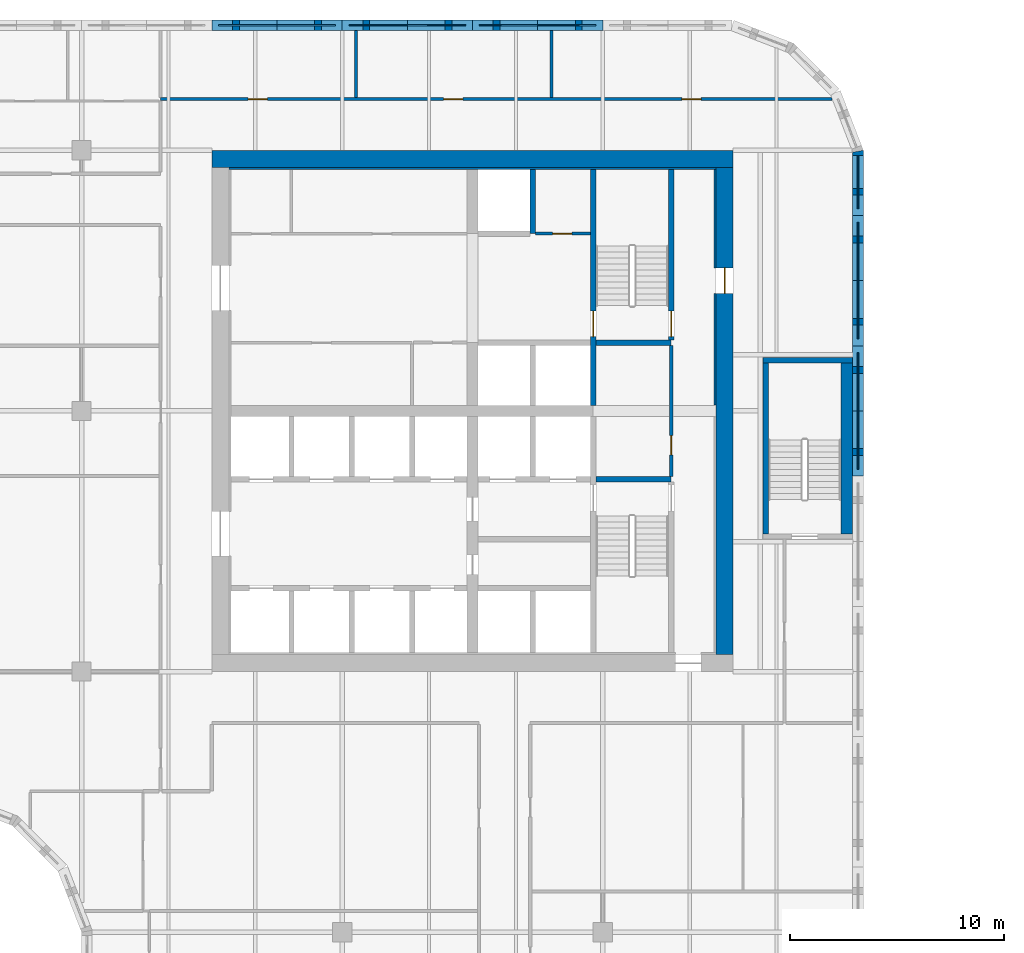
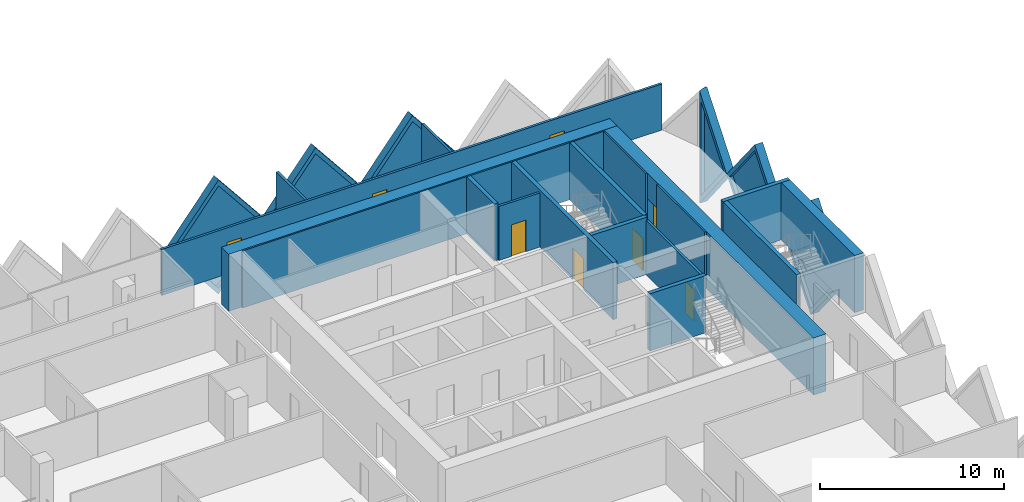
# One storey, part 10 of 18: 24 walls, 8 doors, 6 plates, 14 openings.
"""IFC4 building model written with IfcOpenShell, lengths in metres."""

from ifc_helpers import new_model, si_unit, direction, frame, frame_2d, origin, place, context, subcontext, project, spatial, polyline, rectangle, outline, extrude, faceted_brep, source, transform, mapped, material, layer, layer_set, type_object, element, fill, save


model = new_model("IFC4")

# Units and contexts
model_context = context("Model", 3, precision=1e-05, world=origin(), true_north=direction((0.0, 1.0)))
body_context = subcontext(model_context, "Body", "Model", "MODEL_VIEW")
ifc_project = project(units=[si_unit("LENGTHUNIT", "METRE"), si_unit("AREAUNIT", "SQUARE_METRE"), si_unit("VOLUMEUNIT", "CUBIC_METRE"), si_unit("PLANEANGLEUNIT", "RADIAN"), si_unit("MASSUNIT", "GRAM", prefix="KILO")], contexts=[model_context])

# Site, building, storey
site_placement = place(None, origin())
site = spatial("IfcSite", under=ifc_project, at=site_placement, CompositionType="ELEMENT")
building_placement = place(site_placement, origin())
building = spatial("IfcBuilding", under=site, at=building_placement, Name="Tessera Gate Towers", CompositionType="ELEMENT")
storey_placement = place(building_placement, frame((0.0, 0.0, 95.199951171875)))
storey = spatial("IfcBuildingStorey", under=building, at=storey_placement, Name="L23", CompositionType="ELEMENT", Elevation=95.199951171875)

# Wall, opening, door
ifc_material_1 = material(Name="Concrete C40/50", Category="concrete")
ifc_layer_1 = layer(ifc_material_1, 0.25)
ifc_layer_set_1 = layer_set([ifc_layer_1], Name="CORE ENCLOSURE WALL 250")
wall_type_1 = type_object("IfcWallType", Name="CORE ENCLOSURE WALL 250", PredefinedType="SOLIDWALL", material=ifc_layer_set_1)
wall_1_placement = place(storey_placement, frame((48.35009765625, 47.89990234375, 0.0), z_axis=(0.0, 0.0, 1.0), x_axis=(0.0, -1.0, 0.0)))
wall_1 = element("IfcWall", 1, at=wall_1_placement, inside=storey, type_object=wall_type_1, Name="L23 shaft and stair enclosure wall", PredefinedType="SOLIDWALL", context=body_context, shape_type="SweptSolid", body=[
    extrude(rectangle(XDim=11.0498046875, YDim=0.25, at=frame_2d((5.52490234375, 0.0))), origin(), (0.0, 0.0, 1.0), 3.800048828125),
])
shared_shape_1 = source(origin(), body_context, "Body", "SweptSolid", [
    extrude(rectangle(XDim=1.199951171875, YDim=2.10009765625, at=frame_2d((0.60009765625, 1.050048828125))), frame((0.0, 0.135009765625, 0.0), z_axis=(0.0, -1.0, 0.0), x_axis=(1.0, 0.0, 0.0)), (0.0, 0.0, 1.0), 0.27001953125),
])
opening_1_placement = place(wall_1_placement, frame((6.625, 0.0, 0.0)))
opening_1 = element("IfcOpeningElement", 2, at=opening_1_placement, cuts=wall_1, Name="Opening SD-ST2-1", PredefinedType="OPENING", context=body_context, shape_type="MappedRepresentation", body=[
    mapped(shared_shape_1, transform((0.0, 0.0, 0.0), scale=1.0)),
])
ifc_material_2 = material(Name="Hollow steel fire door", Category="steel")
door_type_1 = type_object("IfcDoorType", Name="CORE DOOR SD 1200x2100", OperationType="NOTDEFINED", PredefinedType="DOOR", material=ifc_material_2)
shared_shape_2 = source(origin(), body_context, "Body", "SweptSolid", [
    extrude(rectangle(XDim=1.199951171875, YDim=2.10009765625, at=frame_2d((0.60009765625, 1.050048828125))), frame((0.0, 0.02490234375, 0.0), z_axis=(0.0, -1.0, 0.0), x_axis=(1.0, 0.0, 0.0)), (0.0, 0.0, 1.0), 0.050048828125),
])
door_1_placement = place(opening_1_placement, origin())
door_1 = element("IfcDoor", 3, at=door_1_placement, inside=storey, type_object=door_type_1, Name="Stair door", OperationType="SINGLE_SWING_RIGHT", OverallHeight=2.10009765625, OverallWidth=1.199951171875, PredefinedType="DOOR", context=body_context, shape_type="MappedRepresentation", body=[
    mapped(shared_shape_2, transform((0.0, 0.0, 0.0), scale=1.0)),
])
fill(opening_1, door_1)

# Walls
for number, where, z_axis, x_axis, name in (
    (4, (48.47509765625, 33.39990234375, 0.0), (0.0, 0.0, 1.0), (1.0, 0.0, 0.0), "L23 shaft and stair enclosure wall"),
    (5, (48.47509765625, 39.800048828125, 0.0), (0.0, 0.0, 1.0), (1.0, 0.0, 0.0), "L23 shaft and stair enclosure wall"),
):
    element("IfcWall", number, at=place(storey_placement, frame(where, z_axis=z_axis, x_axis=x_axis)), inside=storey, type_object=wall_type_1, Name=name, PredefinedType="SOLIDWALL", context=body_context, shape_type="SweptSolid", body=[
        extrude(rectangle(XDim=3.52490234375, YDim=0.25, at=frame_2d((1.762451171875, 0.0))), origin(), (0.0, 0.0, 1.0), 3.800048828125),
    ])

# Wall, opening, door
wall_2_placement = place(storey_placement, frame((52.0, 39.925048828125, 0.0), z_axis=(0.0, 0.0, 1.0), x_axis=(0.0, 1.0, 0.0)))
wall_2 = element("IfcWall", 6, at=wall_2_placement, inside=storey, type_object=wall_type_1, Name="L23 shaft and stair enclosure wall", PredefinedType="SOLIDWALL", context=body_context, shape_type="SweptSolid", body=[
    extrude(rectangle(XDim=7.974853515625, YDim=0.25, at=frame_2d((3.9873046875, 0.0))), origin(), (0.0, 0.0, 1.0), 3.800048828125),
])
opening_2_placement = place(wall_2_placement, frame((0.14990234375, 0.0, 0.0)))
opening_2 = element("IfcOpeningElement", 7, at=opening_2_placement, cuts=wall_2, Name="Opening SD-ST2-2", PredefinedType="OPENING", context=body_context, shape_type="MappedRepresentation", body=[
    mapped(shared_shape_1, transform((0.0, 0.0, 0.0), scale=1.0)),
])
door_2_placement = place(opening_2_placement, origin())
door_2 = element("IfcDoor", 8, at=door_2_placement, inside=storey, type_object=door_type_1, Name="Stair door", OperationType="SINGLE_SWING_LEFT", OverallHeight=2.10009765625, OverallWidth=1.199951171875, PredefinedType="DOOR", context=body_context, shape_type="MappedRepresentation", body=[
    mapped(shared_shape_2, transform((0.0, 0.0, 0.0), scale=1.0)),
])
fill(opening_2, door_2)

# Walls
wall_3_placement = place(storey_placement, frame((45.52490234375, 44.89990234375, 0.0), z_axis=(0.0, 0.0, 1.0), x_axis=(0.0, 1.0, 0.0)))
element("IfcWall", 9, at=wall_3_placement, inside=storey, type_object=wall_type_1, Name="L23 shaft and stair enclosure wall", PredefinedType="SOLIDWALL", context=body_context, shape_type="SweptSolid", body=[
    extrude(rectangle(XDim=3.0, YDim=0.25, at=frame_2d((1.5, 0.0))), origin(), (0.0, 0.0, 1.0), 3.800048828125),
])
wall_4_placement = place(storey_placement, frame((56.425048828125, 30.85009765625, 0.0), z_axis=(0.0, 0.0, 1.0), x_axis=(0.0, 1.0, 0.0)))
element("IfcWall", 10, at=wall_4_placement, inside=storey, type_object=wall_type_1, Name="L23 ST5 enclosure wall", PredefinedType="SOLIDWALL", context=body_context, shape_type="SweptSolid", body=[
    extrude(rectangle(XDim=8.0, YDim=0.25, at=frame_2d((4.0, 0.0))), origin(), (0.0, 0.0, 1.0), 3.800048828125),
])
wall_5_placement = place(storey_placement, frame((56.300048828125, 38.97509765625, 0.0), z_axis=(0.0, 0.0, 1.0), x_axis=(1.0, 0.0, 0.0)))
element("IfcWall", 11, at=wall_5_placement, inside=storey, type_object=wall_type_1, Name="L23 ST5 enclosure wall", PredefinedType="SOLIDWALL", context=body_context, shape_type="SweptSolid", body=[
    extrude(rectangle(XDim=4.199951171875, YDim=0.25, at=frame_2d((2.10009765625, 0.0))), origin(), (0.0, 0.0, 1.0), 3.800048828125),
])
ifc_material_3 = material(Name="Concrete C40/50", Category="concrete")
ifc_layer_2 = layer(ifc_material_3, 0.550048828125)
ifc_layer_set_2 = layer_set([ifc_layer_2], Name="CORE ENCLOSURE WALL 550")
wall_type_2 = type_object("IfcWallType", Name="CORE ENCLOSURE WALL 550", PredefinedType="SOLIDWALL", material=ifc_layer_set_2)
wall_6_placement = place(storey_placement, frame((60.22509765625, 38.85009765625, 0.0), z_axis=(0.0, 0.0, 1.0), x_axis=(0.0, -1.0, 0.0)))
element("IfcWall", 12, at=wall_6_placement, inside=storey, type_object=wall_type_2, Name="L23 ST5 enclosure wall", PredefinedType="SOLIDWALL", context=body_context, shape_type="SweptSolid", body=[
    extrude(rectangle(XDim=8.0, YDim=0.550048828125, at=frame_2d((4.0, 0.0))), origin(), (0.0, 0.0, 1.0), 3.800048828125),
])
ifc_material_4 = material(Name="Concrete C60/75", Category="concrete")
ifc_layer_3 = layer(ifc_material_4, 0.800048828125)
ifc_layer_set_3 = layer_set([ifc_layer_3], Name="CORE SHEAR WALL 800 C60/75")
wall_type_3 = type_object("IfcWallType", Name="CORE SHEAR WALL 800 C60/75", PredefinedType="SHEAR", material=ifc_layer_set_3)
wall_7_placement = place(storey_placement, frame((30.5, 48.39990234375, 0.0), z_axis=(0.0, 0.0, 1.0), x_axis=(1.0, 0.0, 0.0)))
element("IfcWall", 13, at=wall_7_placement, inside=storey, type_object=wall_type_3, Name="Core wall N L23", PredefinedType="SHEAR", context=body_context, shape_type="SweptSolid", body=[
    extrude(rectangle(XDim=24.39990234375, YDim=0.800048828125, at=frame_2d((12.199951171875, 0.0))), origin(), (0.0, 0.0, 1.0), 3.800048828125),
])

# Wall, opening, door
wall_8_placement = place(storey_placement, frame((54.5, 48.0, 0.0), z_axis=(0.0, 0.0, 1.0), x_axis=(0.0, -1.0, 0.0)))
wall_8 = element("IfcWall", 14, at=wall_8_placement, inside=storey, type_object=wall_type_3, Name="Core wall E L23", PredefinedType="SHEAR", context=body_context, shape_type="SweptSolid", body=[
    extrude(rectangle(XDim=22.800048828125, YDim=0.800048828125, at=frame_2d((11.39990234375, 0.0))), origin(), (0.0, 0.0, 1.0), 3.800048828125),
])
shared_shape_3 = source(origin(), body_context, "Body", "SweptSolid", [
    extrude(rectangle(XDim=1.199951171875, YDim=2.10009765625, at=frame_2d((0.60009765625, 1.050048828125))), frame((0.0, 0.409912109375, 0.0), z_axis=(0.0, -1.0, 0.0), x_axis=(1.0, 0.0, 0.0)), (0.0, 0.0, 1.0), 0.820068359375),
])
opening_3_placement = place(wall_8_placement, frame((4.699951171875, 0.0, 0.0)))
opening_3 = element("IfcOpeningElement", 15, at=opening_3_placement, cuts=wall_8, Name="Opening ED-T1-15-04", PredefinedType="OPENING", context=body_context, shape_type="MappedRepresentation", body=[
    mapped(shared_shape_3, transform((0.0, 0.0, 0.0), scale=1.0)),
])
ifc_material_5 = material(Name="Hollow steel fire door", Category="steel")
door_type_2 = type_object("IfcDoorType", Name="CORE DOOR ED 1200x2100", OperationType="NOTDEFINED", PredefinedType="DOOR", material=ifc_material_5)
door_3_placement = place(opening_3_placement, origin())
door_3 = element("IfcDoor", 16, at=door_3_placement, inside=storey, type_object=door_type_2, Name="Core exit door", OperationType="SINGLE_SWING_LEFT", OverallHeight=2.10009765625, OverallWidth=1.199951171875, PredefinedType="DOOR", context=body_context, shape_type="MappedRepresentation", body=[
    mapped(shared_shape_2, transform((0.0, 0.0, 0.0), scale=1.0)),
])
fill(opening_3, door_3)

# Walls
ifc_material_6 = material(Name="Concrete C60/75", Category="concrete")
ifc_layer_4 = layer(ifc_material_6, 0.10009765625)
ifc_layer_set_4 = layer_set([ifc_layer_4], Name="CORE WALL THICKENING 100")
wall_type_4 = type_object("IfcWallType", Name="CORE WALL THICKENING 100", PredefinedType="SOLIDWALL", material=ifc_layer_set_4)
wall_9_placement = place(storey_placement, frame((31.300048828125, 47.949951171875, 0.0), z_axis=(0.0, 0.0, 1.0), x_axis=(1.0, 0.0, 0.0)))
element("IfcWall", 17, at=wall_9_placement, inside=storey, type_object=wall_type_4, Name="Core wall thickening N L23", PredefinedType="SOLIDWALL", context=body_context, shape_type="SweptSolid", body=[
    extrude(rectangle(XDim=22.800048828125, YDim=0.10009765625, at=frame_2d((11.39990234375, 0.0))), origin(), (0.0, 0.0, 1.0), 3.800048828125),
])
wall_10_placement = place(storey_placement, frame((54.050048828125, 36.8798828125, 0.0), z_axis=(0.0, 0.0, 1.0), x_axis=(0.0, 1.0, 0.0)))
element("IfcWall", 18, at=wall_10_placement, inside=storey, type_object=wall_type_4, Name="Core wall thickening E L23", PredefinedType="SOLIDWALL", context=body_context, shape_type="SweptSolid", body=[
    extrude(rectangle(XDim=5.22021484375, YDim=0.10009765625, at=frame_2d((2.610107421875, 0.0))), origin(), (0.0, 0.0, 1.0), 3.800048828125),
])
wall_11_placement = place(storey_placement, frame((54.050048828125, 43.300048828125, 0.0), z_axis=(0.0, 0.0, 1.0), x_axis=(0.0, 1.0, 0.0)))
element("IfcWall", 19, at=wall_11_placement, inside=storey, type_object=wall_type_4, Name="Core wall thickening E L23", PredefinedType="SOLIDWALL", context=body_context, shape_type="SweptSolid", body=[
    extrude(rectangle(XDim=4.599853515625, YDim=0.10009765625, at=frame_2d((2.2998046875, 0.0))), origin(), (0.0, 0.0, 1.0), 3.800048828125),
])

# Wall, openings, doors
ifc_material_7 = material(Name="Gypsum board on steel studs, mineral wool", Category="steel")
ifc_layer_5 = layer(ifc_material_7, 0.14990234375)
ifc_layer_set_5 = layer_set([ifc_layer_5], Name="CORRIDOR WALL 150")
wall_type_5 = type_object("IfcWallType", Name="CORRIDOR WALL 150", PredefinedType="PARTITIONING", material=ifc_layer_set_5)
wall_12_placement = place(storey_placement, frame((28.10009765625, 51.199951171875, 0.0), z_axis=(0.0, 0.0, 1.0), x_axis=(1.0, 0.0, 0.0)))
wall_12 = element("IfcWall", 20, at=wall_12_placement, inside=storey, type_object=wall_type_5, Name="T1-L23-PW-054", PredefinedType="PARTITIONING", context=body_context, shape_type="SweptSolid", body=[
    extrude(rectangle(XDim=31.438232421875, YDim=0.14990234375, at=frame_2d((15.71923828125, 0.0))), origin(), (0.0, 0.0, 1.0), 3.067138671875),
])
shared_shape_4 = source(origin(), body_context, "Body", "SweptSolid", [
    extrude(rectangle(XDim=0.89990234375, YDim=2.10009765625, at=frame_2d((0.449951171875, 1.050048828125))), frame((0.0, 0.0849609375, 0.0), z_axis=(0.0, -1.0, 0.0), x_axis=(1.0, 0.0, 0.0)), (0.0, 0.0, 1.0), 0.169921875),
])
opening_4_placement = place(wall_12_placement, frame((13.2509765625, 0.0, 0.0)))
opening_4 = element("IfcOpeningElement", 21, at=opening_4_placement, cuts=wall_12, Name="Opening D890FD60-A08-09", PredefinedType="OPENING", context=body_context, shape_type="MappedRepresentation", body=[
    mapped(shared_shape_4, transform((0.0, 0.0, 0.0), scale=1.0)),
])
opening_5_placement = place(wall_12_placement, frame((4.10009765625, 0.0, 0.0)))
opening_5 = element("IfcOpeningElement", 22, at=opening_5_placement, cuts=wall_12, Name="Opening D890FD60-A08-10", PredefinedType="OPENING", context=body_context, shape_type="MappedRepresentation", body=[
    mapped(shared_shape_4, transform((0.0, 0.0, 0.0), scale=1.0)),
])
opening_6_placement = place(wall_12_placement, frame((24.39990234375, 0.0, 0.0)))
opening_6 = element("IfcOpeningElement", 23, at=opening_6_placement, cuts=wall_12, Name="Opening D890FD60-A08-13", PredefinedType="OPENING", context=body_context, shape_type="MappedRepresentation", body=[
    mapped(shared_shape_4, transform((0.0, 0.0, 0.0), scale=1.0)),
])
ifc_material_8 = material(Name="Timber door leaf in steel frame", Category="steel")
door_type_3 = type_object("IfcDoorType", Name="CORRIDOR DOOR 900 FD60", OperationType="NOTDEFINED", PredefinedType="DOOR", material=ifc_material_8)
shared_shape_5 = source(origin(), body_context, "Body", "SweptSolid", [
    extrude(rectangle(XDim=0.89990234375, YDim=2.10009765625, at=frame_2d((0.449951171875, 1.050048828125))), frame((0.0, 0.02490234375, 0.0), z_axis=(0.0, -1.0, 0.0), x_axis=(1.0, 0.0, 0.0)), (0.0, 0.0, 1.0), 0.050048828125),
])
door_4_placement = place(opening_4_placement, origin())
door_4 = element("IfcDoor", 24, at=door_4_placement, inside=storey, type_object=door_type_3, Name="T1-L23-PD-024", OperationType="SINGLE_SWING_LEFT", OverallHeight=2.10009765625, OverallWidth=0.89990234375, PredefinedType="DOOR", context=body_context, shape_type="MappedRepresentation", body=[
    mapped(shared_shape_5, transform((0.0, 0.0, 0.0), scale=1.0)),
])
fill(opening_4, door_4)
door_5_placement = place(opening_5_placement, origin())
door_5 = element("IfcDoor", 25, at=door_5_placement, inside=storey, type_object=door_type_3, Name="T1-L23-PD-025", OperationType="SINGLE_SWING_LEFT", OverallHeight=2.10009765625, OverallWidth=0.89990234375, PredefinedType="DOOR", context=body_context, shape_type="MappedRepresentation", body=[
    mapped(shared_shape_5, transform((0.0, 0.0, 0.0), scale=1.0)),
])
fill(opening_5, door_5)
door_6_placement = place(opening_6_placement, origin())
door_6 = element("IfcDoor", 26, at=door_6_placement, inside=storey, type_object=door_type_3, Name="T1-L23-PD-028", OperationType="SINGLE_SWING_LEFT", OverallHeight=2.10009765625, OverallWidth=0.89990234375, PredefinedType="DOOR", context=body_context, shape_type="MappedRepresentation", body=[
    mapped(shared_shape_5, transform((0.0, 0.0, 0.0), scale=1.0)),
])
fill(opening_6, door_6)

# Wall, opening, door
ifc_material_9 = material(Name="Gypsum board on steel studs", Category="steel")
ifc_layer_6 = layer(ifc_material_9, 0.14990234375)
ifc_layer_set_6 = layer_set([ifc_layer_6], Name="SERVICE ROOM WALL 150")
wall_type_6 = type_object("IfcWallType", Name="SERVICE ROOM WALL 150", PredefinedType="PARTITIONING", material=ifc_layer_set_6)
wall_13_placement = place(storey_placement, frame((52.0, 33.52490234375, 0.0), z_axis=(0.0, 0.0, 1.0), x_axis=(0.0, 1.0, 0.0)))
wall_13 = element("IfcWall", 27, at=wall_13_placement, inside=storey, type_object=wall_type_6, Name="L23 service room wall", PredefinedType="PARTITIONING", context=body_context, shape_type="SweptSolid", body=[
    extrude(rectangle(XDim=6.150146484375, YDim=0.14990234375, at=frame_2d((3.0751953125, 0.0))), origin(), (0.0, 0.0, 1.0), 3.60009765625),
])
opening_7_placement = place(wall_13_placement, frame((1.02490234375, 0.0, 0.0)))
opening_7 = element("IfcOpeningElement", 28, at=opening_7_placement, cuts=wall_13, Name="Opening RD-T1-15-10", PredefinedType="OPENING", context=body_context, shape_type="MappedRepresentation", body=[
    mapped(shared_shape_4, transform((0.0, 0.0, 0.0), scale=1.0)),
])
ifc_material_10 = material(Name="Hollow steel fire door", Category="steel")
door_type_4 = type_object("IfcDoorType", Name="CORE DOOR RD 900x2100", OperationType="NOTDEFINED", PredefinedType="DOOR", material=ifc_material_10)
door_7_placement = place(opening_7_placement, origin())
door_7 = element("IfcDoor", 29, at=door_7_placement, inside=storey, type_object=door_type_4, Name="Core room door", OperationType="SINGLE_SWING_LEFT", OverallHeight=2.10009765625, OverallWidth=0.89990234375, PredefinedType="DOOR", context=body_context, shape_type="MappedRepresentation", body=[
    mapped(shared_shape_5, transform((0.0, 0.0, 0.0), scale=1.0)),
])
fill(opening_7, door_7)

wall_14_placement = place(storey_placement, frame((45.64990234375, 44.89990234375, 0.0), z_axis=(0.0, 0.0, 1.0), x_axis=(1.0, 0.0, 0.0)))
wall_14 = element("IfcWall", 30, at=wall_14_placement, inside=storey, type_object=wall_type_6, Name="L23 service room wall", PredefinedType="PARTITIONING", context=body_context, shape_type="SweptSolid", body=[
    extrude(rectangle(XDim=2.5751953125, YDim=0.14990234375, at=frame_2d((1.28759765625, 0.0))), origin(), (0.0, 0.0, 1.0), 3.60009765625),
])
opening_8_placement = place(wall_14_placement, frame((0.800048828125, 0.0, 0.0)))
opening_8 = element("IfcOpeningElement", 31, at=opening_8_placement, cuts=wall_14, Name="Opening RD-T1-15-11", PredefinedType="OPENING", context=body_context, shape_type="MappedRepresentation", body=[
    mapped(shared_shape_4, transform((0.0, 0.0, 0.0), scale=1.0)),
])
door_8_placement = place(opening_8_placement, origin())
door_8 = element("IfcDoor", 32, at=door_8_placement, inside=storey, type_object=door_type_4, Name="Core room door", OperationType="SINGLE_SWING_LEFT", OverallHeight=2.10009765625, OverallWidth=0.89990234375, PredefinedType="DOOR", context=body_context, shape_type="MappedRepresentation", body=[
    mapped(shared_shape_5, transform((0.0, 0.0, 0.0), scale=1.0)),
])
fill(opening_8, door_8)

# Walls
ifc_material_11 = material(Name="Gypsum board on steel studs, mineral wool", Category="steel")
ifc_layer_7 = layer(ifc_material_11, 0.14990234375)
ifc_layer_set_7 = layer_set([ifc_layer_7], Name="TENANCY WALL 150")
wall_type_7 = type_object("IfcWallType", Name="TENANCY WALL 150", PredefinedType="PARTITIONING", material=ifc_layer_set_7)
for number, where, z_axis, x_axis, name in (
    (33, (37.25, 51.27587890625, 0.0), (0.0, 0.0, 1.0), (0.0, 1.0, 0.0), "T1-L23-PW-056"),
    (34, (46.39990234375, 51.27587890625, 0.0), (0.0, 0.0, 1.0), (0.0, 1.0, 0.0), "T1-L23-PW-057"),
):
    element("IfcWall", number, at=place(storey_placement, frame(where, z_axis=z_axis, x_axis=x_axis)), inside=storey, type_object=wall_type_7, Name=name, PredefinedType="PARTITIONING", context=body_context, shape_type="SweptSolid", body=[
        extrude(rectangle(XDim=3.1240234375, YDim=0.14990234375, at=frame_2d((1.56201171875, 0.0))), origin(), (0.0, 0.0, 1.0), 3.067138671875),
    ])

# Wall, opening, plate
ifc_material_12 = material(Name="Precast concrete C60/75 white", Category="concrete")
ifc_layer_8 = layer(ifc_material_12, 0.5)
ifc_layer_set_8 = layer_set([ifc_layer_8], Name="TS1 tessera")
wall_type_8 = type_object("IfcWallType", Name="TS1 tessera", PredefinedType="SOLIDWALL", material=ifc_layer_set_8)
shared_shape_6 = source(origin(), body_context, "Body", "Brep", [
    faceted_brep([(3.050048828125, -0.25, 0.0), (6.099853515625, -0.25, 3.7998046875), (6.099853515625, -0.25, 3.80029296875), (3.050048828125, -0.25, 7.60009765625), (0.0, -0.25, 3.800048828125), (0.0, 0.25, 3.800048828125), (3.050048828125, 0.25, 7.60009765625), (6.099853515625, 0.25, 3.80029296875), (6.099853515625, 0.25, 3.7998046875), (3.050048828125, 0.25, 0.0)], [[[0, 1, 2, 3, 4]], [[5, 6, 7, 8, 9]], [[9, 8, 1, 0]], [[7, 6, 3, 2]], [[6, 5, 4, 3]], [[5, 9, 0, 4]], [[1, 8, 7, 2]]]),
])
wall_15_placement = place(storey_placement, frame((60.75, 33.550048828125, -3.800048828125), z_axis=(0.0, 0.0, 1.0), x_axis=(0.0, 1.0, 0.0)))
wall_15 = element("IfcWall", 35, at=wall_15_placement, inside=storey, type_object=wall_type_8, Name="Precast tessera T1 TS1-0376", PredefinedType="SOLIDWALL", context=body_context, shape_type="MappedRepresentation", body=[
    mapped(shared_shape_6, transform((0.0, 0.0, 0.0), scale=1.0)),
])
shared_shape_7 = source(origin(), body_context, "Body", "SweptSolid", [
    extrude(outline(polyline([(3.050048828125, 0.3994140625), (5.779541015625, 3.800048828125), (3.050048828125, 7.20068359375), (0.320556640625, 3.800048828125), (3.050048828125, 0.3994140625)])), frame((0.0, 0.260009765625, 0.0), z_axis=(0.0, -1.0, 0.0), x_axis=(1.0, 0.0, 0.0)), (0.0, 0.0, 1.0), 0.52001953125),
])
opening_9_placement = place(wall_15_placement, origin())
opening_9 = element("IfcOpeningElement", 36, at=opening_9_placement, cuts=wall_15, Name="Opening T1-PL2-0764", PredefinedType="OPENING", context=body_context, shape_type="MappedRepresentation", body=[
    mapped(shared_shape_7, transform((0.0, 0.0, 0.0), scale=1.0)),
])
ifc_material_13 = material(Name="Low-e laminated glass", Category="glass")
ifc_layer_9 = layer(ifc_material_13, 0.06005859375)
ifc_layer_set_9 = layer_set([ifc_layer_9], Name="PL2 rhombic pane")
plate_type = type_object("IfcPlateType", Name="PL2 rhombic pane", PredefinedType="SHEET", material=ifc_layer_set_9)
shared_shape_8 = source(origin(), body_context, "Body", "SweptSolid", [
    extrude(outline(polyline([(3.050048828125, 0.3994140625), (5.779541015625, 3.800048828125), (3.050048828125, 7.20068359375), (0.320556640625, 3.800048828125), (3.050048828125, 0.3994140625)])), frame((0.0, 0.030029296875, 0.0), z_axis=(0.0, -1.0, 0.0), x_axis=(1.0, 0.0, 0.0)), (0.0, 0.0, 1.0), 0.06005859375),
])
plate_1_placement = place(opening_9_placement, origin())
plate_1 = element("IfcPlate", 37, at=plate_1_placement, inside=storey, type_object=plate_type, Name="Glass pane T1 PL2-0764", PredefinedType="SHEET", context=body_context, shape_type="MappedRepresentation", body=[
    mapped(shared_shape_8, transform((0.0, 0.0, 0.0), scale=1.0)),
])
fill(opening_9, plate_1)

wall_16_placement = place(storey_placement, frame((42.699951171875, 54.64990234375, -3.800048828125), z_axis=(0.0, 0.0, 1.0), x_axis=(-1.0, 0.0, 0.0)))
wall_16 = element("IfcWall", 38, at=wall_16_placement, inside=storey, type_object=wall_type_8, Name="Precast tessera T1 TS1-0380", PredefinedType="SOLIDWALL", context=body_context, shape_type="MappedRepresentation", body=[
    mapped(shared_shape_6, transform((0.0, 0.0, 0.0), scale=1.0)),
])
opening_10_placement = place(wall_16_placement, origin())
opening_10 = element("IfcOpeningElement", 39, at=opening_10_placement, cuts=wall_16, Name="Opening T1-PL2-0772", PredefinedType="OPENING", context=body_context, shape_type="MappedRepresentation", body=[
    mapped(shared_shape_7, transform((0.0, 0.0, 0.0), scale=1.0)),
])
plate_2_placement = place(opening_10_placement, origin())
plate_2 = element("IfcPlate", 40, at=plate_2_placement, inside=storey, type_object=plate_type, Name="Glass pane T1 PL2-0772", PredefinedType="SHEET", context=body_context, shape_type="MappedRepresentation", body=[
    mapped(shared_shape_8, transform((0.0, 0.0, 0.0), scale=1.0)),
])
fill(opening_10, plate_2)

shared_shape_9 = source(origin(), body_context, "Body", "SweptSolid", [
    extrude(outline(polyline([(3.050048828125, 0.0), (6.10009765625, 3.800048828125), (3.050048828125, 7.60009765625), (0.0, 3.800048828125), (3.050048828125, 0.0)])), frame((0.0, 0.25, 0.0), z_axis=(0.0, -1.0, 0.0), x_axis=(1.0, 0.0, 0.0)), (0.0, 0.0, 1.0), 0.5),
])
wall_17_placement = place(storey_placement, frame((60.75, 39.64990234375, -3.800048828125), z_axis=(0.0, 0.0, 1.0), x_axis=(0.0, 1.0, 0.0)))
wall_17 = element("IfcWall", 41, at=wall_17_placement, inside=storey, type_object=wall_type_8, Name="Precast tessera T1 TS1-0377", PredefinedType="SOLIDWALL", context=body_context, shape_type="MappedRepresentation", body=[
    mapped(shared_shape_9, transform((0.0, 0.0, 0.0), scale=1.0)),
])
opening_11_placement = place(wall_17_placement, origin())
opening_11 = element("IfcOpeningElement", 42, at=opening_11_placement, cuts=wall_17, Name="Opening T1-PL2-0765", PredefinedType="OPENING", context=body_context, shape_type="MappedRepresentation", body=[
    mapped(shared_shape_7, transform((0.0, 0.0, 0.0), scale=1.0)),
])
plate_3_placement = place(opening_11_placement, origin())
plate_3 = element("IfcPlate", 43, at=plate_3_placement, inside=storey, type_object=plate_type, Name="Glass pane T1 PL2-0765", PredefinedType="SHEET", context=body_context, shape_type="MappedRepresentation", body=[
    mapped(shared_shape_8, transform((0.0, 0.0, 0.0), scale=1.0)),
])
fill(opening_11, plate_3)

wall_18_placement = place(storey_placement, frame((48.800048828125, 54.64990234375, -3.800048828125), z_axis=(0.0, 0.0, 1.0), x_axis=(-1.0, 0.0, 0.0)))
wall_18 = element("IfcWall", 44, at=wall_18_placement, inside=storey, type_object=wall_type_8, Name="Precast tessera T1 TS1-0379", PredefinedType="SOLIDWALL", context=body_context, shape_type="MappedRepresentation", body=[
    mapped(shared_shape_9, transform((0.0, 0.0, 0.0), scale=1.0)),
])
opening_12_placement = place(wall_18_placement, origin())
opening_12 = element("IfcOpeningElement", 45, at=opening_12_placement, cuts=wall_18, Name="Opening T1-PL2-0771", PredefinedType="OPENING", context=body_context, shape_type="MappedRepresentation", body=[
    mapped(shared_shape_7, transform((0.0, 0.0, 0.0), scale=1.0)),
])
plate_4_placement = place(opening_12_placement, origin())
plate_4 = element("IfcPlate", 46, at=plate_4_placement, inside=storey, type_object=plate_type, Name="Glass pane T1 PL2-0771", PredefinedType="SHEET", context=body_context, shape_type="MappedRepresentation", body=[
    mapped(shared_shape_8, transform((0.0, 0.0, 0.0), scale=1.0)),
])
fill(opening_12, plate_4)

wall_19_placement = place(storey_placement, frame((36.60009765625, 54.64990234375, -3.800048828125), z_axis=(0.0, 0.0, 1.0), x_axis=(-1.0, 0.0, 0.0)))
wall_19 = element("IfcWall", 47, at=wall_19_placement, inside=storey, type_object=wall_type_8, Name="Precast tessera T1 TS1-0381", PredefinedType="SOLIDWALL", context=body_context, shape_type="MappedRepresentation", body=[
    mapped(shared_shape_9, transform((0.0, 0.0, 0.0), scale=1.0)),
])
opening_13_placement = place(wall_19_placement, origin())
opening_13 = element("IfcOpeningElement", 48, at=opening_13_placement, cuts=wall_19, Name="Opening T1-PL2-0773", PredefinedType="OPENING", context=body_context, shape_type="MappedRepresentation", body=[
    mapped(shared_shape_7, transform((0.0, 0.0, 0.0), scale=1.0)),
])
plate_5_placement = place(opening_13_placement, origin())
plate_5 = element("IfcPlate", 49, at=plate_5_placement, inside=storey, type_object=plate_type, Name="Glass pane T1 PL2-0773", PredefinedType="SHEET", context=body_context, shape_type="MappedRepresentation", body=[
    mapped(shared_shape_8, transform((0.0, 0.0, 0.0), scale=1.0)),
])
fill(opening_13, plate_5)

ifc_material_14 = material(Name="Precast concrete C60/75 white", Category="concrete")
ifc_layer_10 = layer(ifc_material_14, 0.5)
ifc_layer_set_10 = layer_set([ifc_layer_10], Name="TS3 corner tessera")
wall_type_9 = type_object("IfcWallType", Name="TS3 corner tessera", PredefinedType="SOLIDWALL", material=ifc_layer_set_10)
shared_shape_10 = source(origin(), body_context, "Body", "Brep", [
    faceted_brep([(3.00341796875, -0.25, 0.0), (3.050048828125, -0.25, 0.06005859375), (3.050048828125, -0.25, 7.5400390625), (3.00341796875, -0.25, 7.60009765625), (0.0, -0.25, 3.800048828125), (0.0, 0.25, 3.800048828125), (2.956787109375, 0.25, 7.541259765625), (2.956787109375, 0.25, 0.058837890625), (3.00341796875, 0.000244140625, 0.0), (3.00341796875, 0.000244140625, 7.60009765625)], [[[0, 1, 2, 3, 4]], [[5, 6, 7]], [[1, 0, 8]], [[9, 3, 2]], [[6, 5, 4, 3, 9]], [[5, 7, 8, 0, 4]], [[1, 8, 7, 6, 9, 2]]]),
])
wall_20_placement = place(storey_placement, frame((60.75, 45.75, -3.800048828125), z_axis=(0.0, 0.0, 1.0), x_axis=(0.0, 1.0, 0.0)))
wall_20 = element("IfcWall", 50, at=wall_20_placement, inside=storey, type_object=wall_type_9, Name="Precast corner tessera T1 TS3-0509", PredefinedType="SOLIDWALL", context=body_context, shape_type="MappedRepresentation", body=[
    mapped(shared_shape_10, transform((0.0, 0.0, 0.0), scale=1.0)),
])
shared_shape_11 = source(origin(), body_context, "Body", "SweptSolid", [
    extrude(outline(polyline([(2.803466796875, 6.94384765625), (0.318603515625, 3.800048828125), (2.803466796875, 0.65625), (2.803466796875, 6.94384765625)])), frame((0.0, 0.260009765625, 0.0), z_axis=(0.0, -1.0, 0.0), x_axis=(1.0, 0.0, 0.0)), (0.0, 0.0, 1.0), 0.52001953125),
])
opening_14_placement = place(wall_20_placement, origin())
opening_14 = element("IfcOpeningElement", 51, at=opening_14_placement, cuts=wall_20, Name="Opening T1-PL2-0766", PredefinedType="OPENING", context=body_context, shape_type="MappedRepresentation", body=[
    mapped(shared_shape_11, transform((0.0, 0.0, 0.0), scale=1.0)),
])
shared_shape_12 = source(origin(), body_context, "Body", "SweptSolid", [
    extrude(outline(polyline([(2.803466796875, 6.94384765625), (0.318603515625, 3.800048828125), (2.803466796875, 0.65625), (2.803466796875, 6.94384765625)])), frame((0.0, 0.030029296875, 0.0), z_axis=(0.0, -1.0, 0.0), x_axis=(1.0, 0.0, 0.0)), (0.0, 0.0, 1.0), 0.06005859375),
])
plate_6_placement = place(opening_14_placement, origin())
plate_6 = element("IfcPlate", 52, at=plate_6_placement, inside=storey, type_object=plate_type, Name="Glass pane T1 PL2-0766", PredefinedType="SHEET", context=body_context, shape_type="MappedRepresentation", body=[
    mapped(shared_shape_12, transform((0.0, 0.0, 0.0), scale=1.0)),
])
fill(opening_14, plate_6)

save(model, "model.ifc")
